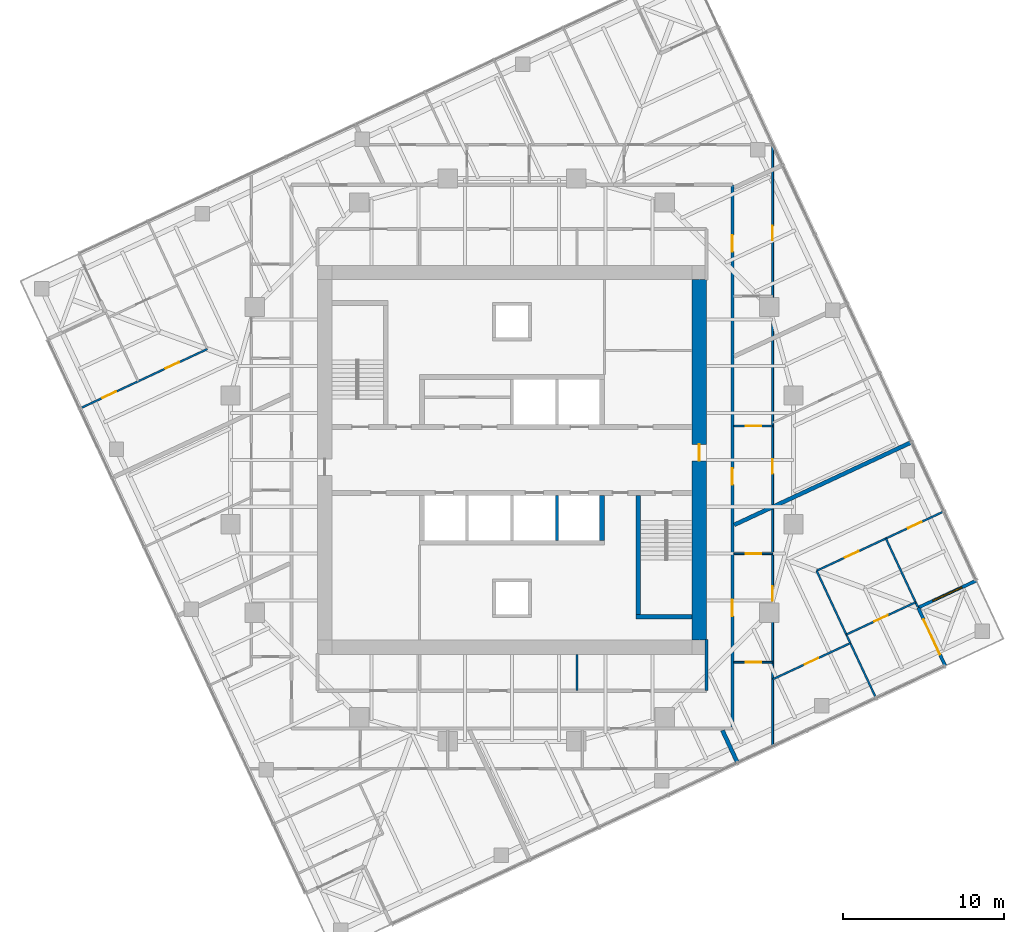
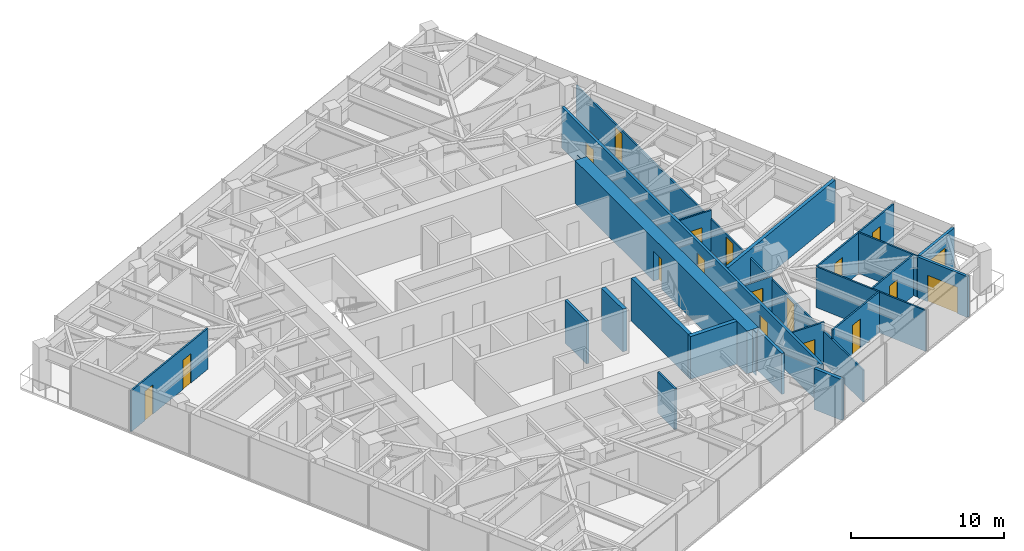
# One storey, part 9 of 12: 22 walls, 17 doors, 1 window, 18 openings.
"""IFC4 building model written with IfcOpenShell, lengths in metres."""

from ifc_helpers import new_model, si_unit, direction, frame, frame_2d, origin, place, context, subcontext, project, spatial, polyline, rectangle, outline, extrude, material, layer, layer_set, type_object, element, fill, save


model = new_model("IFC4")

# Units and contexts
model_context = context("Model", 3, precision=1e-05, world=origin(), true_north=direction((0.0, 1.0)))
body_context = subcontext(model_context, "Body", "Model", "MODEL_VIEW")
ifc_project = project(units=[si_unit("LENGTHUNIT", "METRE"), si_unit("AREAUNIT", "SQUARE_METRE"), si_unit("VOLUMEUNIT", "CUBIC_METRE"), si_unit("PLANEANGLEUNIT", "RADIAN"), si_unit("MASSUNIT", "GRAM", prefix="KILO")], contexts=[model_context])

# Site, building, storey
site_placement = place(None, origin())
site = spatial("IfcSite", under=ifc_project, at=site_placement, CompositionType="ELEMENT")
building_placement = place(site_placement, origin())
building = spatial("IfcBuilding", under=site, at=building_placement, Name="Torsade Residences", CompositionType="ELEMENT")
storey_placement = place(building_placement, frame((0.0, 0.0, 193.0)))
storey = spatial("IfcBuildingStorey", under=building, at=storey_placement, Name="L53", CompositionType="ELEMENT", Elevation=193.0)

# Walls
ifc_material_1 = material(Name="Concrete 80 MPa", Category="concrete")
ifc_layer_1 = layer(ifc_material_1, 0.300048828125)
ifc_layer_set_1 = layer_set([ifc_layer_1], Name="Concrete 80 MPa")
wall_type_1 = type_object("IfcWallType", Name="CORE INTERNAL WALL 300", PredefinedType="SHEAR", material=ifc_layer_set_1)
wall_1_placement = place(storey_placement, frame((45.60009765625, 27.800048828125, 0.0), z_axis=(0.0, 0.0, 1.0), x_axis=(0.0, -1.0, 0.0)))
element("IfcWall", 1, at=wall_1_placement, inside=storey, type_object=wall_type_1, Name="Core wall DS0 L53", PredefinedType="SHEAR", context=body_context, shape_type="SweptSolid", body=[
    extrude(rectangle(XDim=2.800048828125, YDim=0.300048828125, at=frame_2d((1.39990234375, 0.0))), origin(), (0.0, 0.0, 1.0), 3.39990234375),
])
wall_2_placement = place(storey_placement, frame((47.85009765625, 27.800048828125, 0.0), z_axis=(0.0, 0.0, 1.0), x_axis=(0.0, -1.0, 0.0)))
element("IfcWall", 2, at=wall_2_placement, inside=storey, type_object=wall_type_1, Name="Core wall ST2W L53", PredefinedType="SHEAR", context=body_context, shape_type="SweptSolid", body=[
    extrude(rectangle(XDim=7.699951171875, YDim=0.300048828125, at=frame_2d((3.85009765625, 0.0))), origin(), (0.0, 0.0, 1.0), 3.39990234375),
])
wall_3_placement = place(storey_placement, frame((51.199951171875, 20.25, 0.0), z_axis=(0.0, 0.0, 1.0), x_axis=(-1.0, 0.0, 0.0)))
element("IfcWall", 3, at=wall_3_placement, inside=storey, type_object=wall_type_1, Name="Core wall ST2S L53", PredefinedType="SHEAR", context=body_context, shape_type="SweptSolid", body=[
    extrude(rectangle(XDim=3.5, YDim=0.300048828125, at=frame_2d((1.75, 0.0))), origin(), (0.0, 0.0, 1.0), 3.39990234375),
])

# Wall, opening, door
ifc_material_2 = material(Name="Concrete 80 MPa", Category="concrete")
ifc_layer_2 = layer(ifc_material_2, 0.89990234375)
ifc_layer_set_2 = layer_set([ifc_layer_2], Name="Concrete 80 MPa")
wall_type_2 = type_object("IfcWallType", Name="CORE WALL 900", PredefinedType="SHEAR", material=ifc_layer_set_2)
wall_4_placement = place(storey_placement, frame((51.64990234375, 18.800048828125, 0.0), z_axis=(0.0, 0.0, 1.0), x_axis=(0.0, 1.0, 0.0)))
wall_4 = element("IfcWall", 4, at=wall_4_placement, inside=storey, type_object=wall_type_2, Name="Core wall E L53", PredefinedType="SHEAR", context=body_context, shape_type="SweptSolid", body=[
    extrude(outline(polyline([(0.0, -0.449951171875), (22.39990234375, -0.449951171875), (22.39990234375, -0.02490234375), (22.849853515625, -0.02490234375), (22.849853515625, 0.02490234375), (22.39990234375, 0.02490234375), (22.39990234375, 0.449951171875), (0.0, 0.449951171875), (0.0, 0.02490234375), (-0.449951171875, 0.02490234375), (-0.449951171875, -0.02490234375), (0.0, -0.02490234375), (0.0, -0.449951171875)])), origin(), (0.0, 0.0, 1.0), 3.39990234375),
])
opening_1_placement = place(wall_4_placement, frame((11.139892578125, 0.0, 0.0)))
opening_1 = element("IfcOpeningElement", 5, at=opening_1_placement, cuts=wall_4, Name="Opening D04", PredefinedType="OPENING", context=body_context, shape_type="SweptSolid", body=[
    extrude(rectangle(XDim=1.02001953125, YDim=2.39990234375, at=frame_2d((0.510009765625, 1.199951171875))), frame((0.0, 0.4599609375, 0.0), z_axis=(0.0, -1.0, 0.0), x_axis=(1.0, 0.0, 0.0)), (0.0, 0.0, 1.0), 0.919921875),
])
ifc_material_3 = material(Name="Steel-framed fire door", Category="steel")
door_type_1 = type_object("IfcDoorType", Name="LOBBY SMOKE DOOR 1020x2400", OperationType="NOTDEFINED", PredefinedType="DOOR", material=ifc_material_3)
door_1_placement = place(opening_1_placement, origin())
door_1 = element("IfcDoor", 6, at=door_1_placement, inside=storey, type_object=door_type_1, Name="Lift lobby door E L53", OperationType="SINGLE_SWING_LEFT", OverallHeight=2.39990234375, OverallWidth=1.02001953125, PredefinedType="DOOR", context=body_context, shape_type="SweptSolid", body=[
    extrude(rectangle(XDim=1.02001953125, YDim=2.39990234375, at=frame_2d((0.510009765625, 1.199951171875))), frame((0.0, 0.02490234375, 0.0), z_axis=(0.0, -1.0, 0.0), x_axis=(1.0, 0.0, 0.0)), (0.0, 0.0, 1.0), 0.050048828125),
])
fill(opening_1, door_1)

# Wall, openings, doors
ifc_material_4 = material(Name="Plasterboard on steel stud", Category="steel")
ifc_layer_3 = layer(ifc_material_4, 0.199951171875)
ifc_layer_set_3 = layer_set([ifc_layer_3], Name="Plasterboard on steel stud")
wall_type_3 = type_object("IfcWallType", Name="CORRIDOR WALL 200", PredefinedType="PARTITIONING", material=ifc_layer_set_3)
wall_5_placement = place(storey_placement, frame((53.699951171875, 13.300048828125, 0.0), z_axis=(0.0, 0.0, 1.0), x_axis=(0.0, 1.0, 0.0)))
wall_5 = element("IfcWall", 7, at=wall_5_placement, inside=storey, type_object=wall_type_3, Name="Corridor wall L53", PredefinedType="PARTITIONING", context=body_context, shape_type="SweptSolid", body=[
    extrude(rectangle(XDim=33.800048828125, YDim=0.199951171875, at=frame_2d((16.89990234375, 0.0))), origin(), (0.0, 0.0, 1.0), 3.25),
])
opening_2_placement = place(wall_5_placement, frame((6.983642578125, 0.0, 0.0)))
opening_2 = element("IfcOpeningElement", 8, at=opening_2_placement, cuts=wall_5, Name="Opening D01", PredefinedType="OPENING", context=body_context, shape_type="SweptSolid", body=[
    extrude(rectangle(XDim=1.02001953125, YDim=2.340087890625, at=frame_2d((0.510009765625, 1.169921875))), frame((0.0, 0.10986328125, 0.0), z_axis=(0.0, -1.0, 0.0), x_axis=(1.0, 0.0, 0.0)), (0.0, 0.0, 1.0), 0.219970703125),
])
opening_3_placement = place(wall_5_placement, frame((29.6484375, 0.0, 0.0)))
opening_3 = element("IfcOpeningElement", 9, at=opening_3_placement, cuts=wall_5, Name="Opening D01", PredefinedType="OPENING", context=body_context, shape_type="SweptSolid", body=[
    extrude(rectangle(XDim=1.02001953125, YDim=2.340087890625, at=frame_2d((0.510009765625, 1.169921875))), frame((0.0, 0.10986328125, 0.0), z_axis=(0.0, -1.0, 0.0), x_axis=(1.0, 0.0, 0.0)), (0.0, 0.0, 1.0), 0.219970703125),
])
opening_4_placement = place(wall_5_placement, frame((15.160400390625, 0.0, 0.0)))
opening_4 = element("IfcOpeningElement", 10, at=opening_4_placement, cuts=wall_5, Name="Opening D01", PredefinedType="OPENING", context=body_context, shape_type="SweptSolid", body=[
    extrude(rectangle(XDim=1.02001953125, YDim=2.340087890625, at=frame_2d((0.510009765625, 1.169921875))), frame((0.0, 0.10986328125, 0.0), z_axis=(0.0, -1.0, 0.0), x_axis=(1.0, 0.0, 0.0)), (0.0, 0.0, 1.0), 0.219970703125),
])
ifc_material_5 = material(Name="Solid-core timber fire door", Category="wood")
door_type_2 = type_object("IfcDoorType", Name="APARTMENT ENTRY DOOR 1020x2340", OperationType="NOTDEFINED", PredefinedType="DOOR", material=ifc_material_5)
door_2_placement = place(opening_2_placement, origin())
door_2 = element("IfcDoor", 11, at=door_2_placement, inside=storey, type_object=door_type_2, Name="Door Residential corridor to Kitchen and dining", OperationType="SINGLE_SWING_LEFT", OverallHeight=2.340087890625, OverallWidth=1.02001953125, PredefinedType="DOOR", context=body_context, shape_type="SweptSolid", body=[
    extrude(rectangle(XDim=1.02001953125, YDim=2.340087890625, at=frame_2d((0.510009765625, 1.169921875))), frame((0.0, 0.02490234375, 0.0), z_axis=(0.0, -1.0, 0.0), x_axis=(1.0, 0.0, 0.0)), (0.0, 0.0, 1.0), 0.050048828125),
])
fill(opening_2, door_2)
door_3_placement = place(opening_3_placement, origin())
door_3 = element("IfcDoor", 12, at=door_3_placement, inside=storey, type_object=door_type_2, Name="Door Residential corridor to Kitchen and dining", OperationType="SINGLE_SWING_RIGHT", OverallHeight=2.340087890625, OverallWidth=1.02001953125, PredefinedType="DOOR", context=body_context, shape_type="SweptSolid", body=[
    extrude(rectangle(XDim=1.02001953125, YDim=2.340087890625, at=frame_2d((0.510009765625, 1.169921875))), frame((0.0, 0.02490234375, 0.0), z_axis=(0.0, -1.0, 0.0), x_axis=(1.0, 0.0, 0.0)), (0.0, 0.0, 1.0), 0.050048828125),
])
fill(opening_3, door_3)
door_4_placement = place(opening_4_placement, origin())
door_4 = element("IfcDoor", 13, at=door_4_placement, inside=storey, type_object=door_type_2, Name="Door Residential corridor to Kitchen and dining", OperationType="SINGLE_SWING_RIGHT", OverallHeight=2.340087890625, OverallWidth=1.02001953125, PredefinedType="DOOR", context=body_context, shape_type="SweptSolid", body=[
    extrude(rectangle(XDim=1.02001953125, YDim=2.340087890625, at=frame_2d((0.510009765625, 1.169921875))), frame((0.0, 0.02490234375, 0.0), z_axis=(0.0, -1.0, 0.0), x_axis=(1.0, 0.0, 0.0)), (0.0, 0.0, 1.0), 0.050048828125),
])
fill(opening_4, door_4)

# Walls
wall_6_placement = place(storey_placement, frame((52.10009765625, 15.64990234375, 0.0), z_axis=(0.0, 0.0, 1.0), x_axis=(0.0, 1.0, 0.0)))
element("IfcWall", 14, at=wall_6_placement, inside=storey, type_object=wall_type_3, Name="Corridor wall L53", PredefinedType="PARTITIONING", context=body_context, shape_type="SweptSolid", body=[
    extrude(rectangle(XDim=3.170166015625, YDim=0.199951171875, at=frame_2d((1.5849609375, 0.0))), origin(), (0.0, 0.0, 1.0), 3.25),
])
ifc_material_6 = material(Name="Reinforced blockwork", Category="masonry")
ifc_layer_4 = layer(ifc_material_6, 0.199951171875)
ifc_layer_set_4 = layer_set([ifc_layer_4], Name="Reinforced blockwork")
wall_type_4 = type_object("IfcWallType", Name="LIFT SHAFT DIVIDING WALL 200", PredefinedType="SOLIDWALL", material=ifc_layer_set_4)
wall_7_placement = place(storey_placement, frame((42.800048828125, 27.800048828125, 0.0), z_axis=(0.0, 0.0, 1.0), x_axis=(0.0, -1.0, 0.0)))
element("IfcWall", 15, at=wall_7_placement, inside=storey, type_object=wall_type_4, Name="Core wall DS1 L53", PredefinedType="SOLIDWALL", context=body_context, shape_type="SweptSolid", body=[
    extrude(rectangle(XDim=2.800048828125, YDim=0.199951171875, at=frame_2d((1.39990234375, 0.0))), origin(), (0.0, 0.0, 1.0), 3.39990234375),
])

# Wall, opening, door
ifc_material_7 = material(Name="Plasterboard on steel stud", Category="steel")
ifc_layer_5 = layer(ifc_material_7, 0.1201171875)
ifc_layer_set_5 = layer_set([ifc_layer_5], Name="Plasterboard on steel stud")
wall_type_5 = type_object("IfcWallType", Name="PARTITION 120", PredefinedType="PARTITIONING", material=ifc_layer_set_5)
wall_8_placement = place(storey_placement, frame((56.199951171875, 17.421630859375, 0.0), z_axis=(0.0, 0.0, 1.0), x_axis=(-1.0, 0.0, 0.0)))
wall_8 = element("IfcWall", 16, at=wall_8_placement, inside=storey, type_object=wall_type_5, Name="Partition L53", PredefinedType="PARTITIONING", context=body_context, shape_type="SweptSolid", body=[
    extrude(rectangle(XDim=2.39990234375, YDim=0.1201171875, at=frame_2d((1.199951171875, 0.0))), origin(), (0.0, 0.0, 1.0), 3.25),
])
opening_5_placement = place(wall_8_placement, frame((0.719970703125, 0.0, 0.0)))
opening_5 = element("IfcOpeningElement", 17, at=opening_5_placement, cuts=wall_8, Name="Opening D05", PredefinedType="OPENING", context=body_context, shape_type="SweptSolid", body=[
    extrude(rectangle(XDim=0.9599609375, YDim=2.10009765625, at=frame_2d((0.47998046875, 1.050048828125))), frame((0.0, 0.070068359375, 0.0), z_axis=(0.0, -1.0, 0.0), x_axis=(1.0, 0.0, 0.0)), (0.0, 0.0, 1.0), 0.14013671875),
])
ifc_material_8 = material(Name="Hollow-core timber door in a steel cavity frame", Category="steel")
door_type_3 = type_object("IfcDoorType", Name="BATHROOM CAVITY SLIDING DOOR 960", OperationType="SLIDING_TO_LEFT", PredefinedType="DOOR", material=ifc_material_8)
door_5_placement = place(opening_5_placement, origin())
door_5 = element("IfcDoor", 18, at=door_5_placement, inside=storey, type_object=door_type_3, Name="Door Kitchen and dining to Bathroom", OperationType="SLIDING_TO_LEFT", OverallHeight=2.10009765625, OverallWidth=0.9599609375, PredefinedType="DOOR", context=body_context, shape_type="SweptSolid", body=[
    extrude(rectangle(XDim=0.9599609375, YDim=2.10009765625, at=frame_2d((0.47998046875, 1.050048828125))), frame((0.0, 0.02490234375, 0.0), z_axis=(0.0, -1.0, 0.0), x_axis=(1.0, 0.0, 0.0)), (0.0, 0.0, 1.0), 0.050048828125),
])
fill(opening_5, door_5)

wall_9_placement = place(storey_placement, frame((53.800048828125, 24.165771484375, 0.0), z_axis=(0.0, 0.0, 1.0), x_axis=(1.0, 0.0, 0.0)))
wall_9 = element("IfcWall", 19, at=wall_9_placement, inside=storey, type_object=wall_type_5, Name="Partition L53", PredefinedType="PARTITIONING", context=body_context, shape_type="SweptSolid", body=[
    extrude(rectangle(XDim=2.39990234375, YDim=0.1201171875, at=frame_2d((1.199951171875, 0.0))), origin(), (0.0, 0.0, 1.0), 2.7958984375),
])
opening_6_placement = place(wall_9_placement, frame((0.719970703125, 0.0, 0.0)))
opening_6 = element("IfcOpeningElement", 20, at=opening_6_placement, cuts=wall_9, Name="Opening D05", PredefinedType="OPENING", context=body_context, shape_type="SweptSolid", body=[
    extrude(rectangle(XDim=0.9599609375, YDim=2.10009765625, at=frame_2d((0.47998046875, 1.050048828125))), frame((0.0, 0.070068359375, 0.0), z_axis=(0.0, -1.0, 0.0), x_axis=(1.0, 0.0, 0.0)), (0.0, 0.0, 1.0), 0.14013671875),
])
door_6_placement = place(opening_6_placement, origin())
door_6 = element("IfcDoor", 21, at=door_6_placement, inside=storey, type_object=door_type_3, Name="Door Kitchen and dining to Ensuite", OperationType="SLIDING_TO_LEFT", OverallHeight=2.10009765625, OverallWidth=0.9599609375, PredefinedType="DOOR", context=body_context, shape_type="SweptSolid", body=[
    extrude(rectangle(XDim=0.9599609375, YDim=2.10009765625, at=frame_2d((0.47998046875, 1.050048828125))), frame((0.0, 0.02490234375, 0.0), z_axis=(0.0, -1.0, 0.0), x_axis=(1.0, 0.0, 0.0)), (0.0, 0.0, 1.0), 0.050048828125),
])
fill(opening_6, door_6)

# Wall, openings, doors
wall_10_placement = place(storey_placement, frame((56.199951171875, 49.6416015625, 0.0), z_axis=(0.0, 0.0, 1.0), x_axis=(0.0, -1.0, 0.0)))
wall_10 = element("IfcWall", 22, at=wall_10_placement, inside=storey, type_object=wall_type_5, Name="Partition L53", PredefinedType="PARTITIONING", context=body_context, shape_type="SweptSolid", body=[
    extrude(rectangle(XDim=37.4208984375, YDim=0.1201171875, at=frame_2d((18.71044921875, 0.0))), origin(), (0.0, 0.0, 1.0), 2.550048828125),
])
opening_7_placement = place(wall_10_placement, frame((27.48779296875, 0.0, 0.0)))
opening_7 = element("IfcOpeningElement", 23, at=opening_7_placement, cuts=wall_10, Name="Opening D02", PredefinedType="OPENING", context=body_context, shape_type="SweptSolid", body=[
    extrude(rectangle(XDim=0.919921875, YDim=2.340087890625, at=frame_2d((0.4599609375, 1.169921875))), frame((0.0, 0.070068359375, 0.0), z_axis=(0.0, -1.0, 0.0), x_axis=(1.0, 0.0, 0.0)), (0.0, 0.0, 1.0), 0.14013671875),
])
opening_8_placement = place(wall_10_placement, frame((5.080078125, 0.0, 0.0)))
opening_8 = element("IfcOpeningElement", 24, at=opening_8_placement, cuts=wall_10, Name="Opening D02", PredefinedType="OPENING", context=body_context, shape_type="SweptSolid", body=[
    extrude(rectangle(XDim=0.919921875, YDim=2.340087890625, at=frame_2d((0.4599609375, 1.169921875))), frame((0.0, 0.070068359375, 0.0), z_axis=(0.0, -1.0, 0.0), x_axis=(1.0, 0.0, 0.0)), (0.0, 0.0, 1.0), 0.14013671875),
])
opening_9_placement = place(wall_10_placement, frame((19.59228515625, 0.0, 0.0)))
opening_9 = element("IfcOpeningElement", 25, at=opening_9_placement, cuts=wall_10, Name="Opening D02", PredefinedType="OPENING", context=body_context, shape_type="SweptSolid", body=[
    extrude(rectangle(XDim=0.919921875, YDim=2.340087890625, at=frame_2d((0.4599609375, 1.169921875))), frame((0.0, 0.070068359375, 0.0), z_axis=(0.0, -1.0, 0.0), x_axis=(1.0, 0.0, 0.0)), (0.0, 0.0, 1.0), 0.14013671875),
])
ifc_material_9 = material(Name="Hollow-core timber door", Category="wood")
door_type_4 = type_object("IfcDoorType", Name="INTERNAL DOOR 920x2340", OperationType="NOTDEFINED", PredefinedType="DOOR", material=ifc_material_9)
door_7_placement = place(opening_7_placement, origin())
door_7 = element("IfcDoor", 26, at=door_7_placement, inside=storey, type_object=door_type_4, Name="Door Kitchen and dining to Living room", OperationType="SINGLE_SWING_RIGHT", OverallHeight=2.340087890625, OverallWidth=0.919921875, PredefinedType="DOOR", context=body_context, shape_type="SweptSolid", body=[
    extrude(rectangle(XDim=0.919921875, YDim=2.340087890625, at=frame_2d((0.4599609375, 1.169921875))), frame((0.0, 0.02490234375, 0.0), z_axis=(0.0, -1.0, 0.0), x_axis=(1.0, 0.0, 0.0)), (0.0, 0.0, 1.0), 0.050048828125),
])
fill(opening_7, door_7)
door_8_placement = place(opening_8_placement, origin())
door_8 = element("IfcDoor", 27, at=door_8_placement, inside=storey, type_object=door_type_4, Name="Door Kitchen and dining to Studio living and sleeping", OperationType="SINGLE_SWING_LEFT", OverallHeight=2.340087890625, OverallWidth=0.919921875, PredefinedType="DOOR", context=body_context, shape_type="SweptSolid", body=[
    extrude(rectangle(XDim=0.919921875, YDim=2.340087890625, at=frame_2d((0.4599609375, 1.169921875))), frame((0.0, 0.02490234375, 0.0), z_axis=(0.0, -1.0, 0.0), x_axis=(1.0, 0.0, 0.0)), (0.0, 0.0, 1.0), 0.050048828125),
])
fill(opening_8, door_8)
door_9_placement = place(opening_9_placement, origin())
door_9 = element("IfcDoor", 28, at=door_9_placement, inside=storey, type_object=door_type_4, Name="Door Kitchen and dining to Living room", OperationType="SINGLE_SWING_RIGHT", OverallHeight=2.340087890625, OverallWidth=0.919921875, PredefinedType="DOOR", context=body_context, shape_type="SweptSolid", body=[
    extrude(rectangle(XDim=0.919921875, YDim=2.340087890625, at=frame_2d((0.4599609375, 1.169921875))), frame((0.0, 0.02490234375, 0.0), z_axis=(0.0, -1.0, 0.0), x_axis=(1.0, 0.0, 0.0)), (0.0, 0.0, 1.0), 0.050048828125),
])
fill(opening_9, door_9)

# Wall, opening, door
wall_11_placement = place(storey_placement, frame((61.03466796875, 18.609375, 0.0), z_axis=(0.0, 0.0, 1.0), x_axis=(-0.906312880264, -0.422607339108, 0.0)))
wall_11 = element("IfcWall", 29, at=wall_11_placement, inside=storey, type_object=wall_type_5, Name="Partition L53", PredefinedType="PARTITIONING", context=body_context, shape_type="SweptSolid", body=[
    extrude(rectangle(XDim=5.33447265625, YDim=0.1201171875, at=frame_2d((2.667236328125, 0.0))), origin(), (0.0, 0.0, 1.0), 3.25),
])
opening_10_placement = place(wall_11_placement, frame((2.207275390625, 0.0, 0.0)))
opening_10 = element("IfcOpeningElement", 30, at=opening_10_placement, cuts=wall_11, Name="Opening D02", PredefinedType="OPENING", context=body_context, shape_type="SweptSolid", body=[
    extrude(rectangle(XDim=0.919921875, YDim=2.340087890625, at=frame_2d((0.4599609375, 1.169921875))), frame((0.0, 0.070068359375, 0.0), z_axis=(0.0, -1.0, 0.0), x_axis=(1.0, 0.0, 0.0)), (0.0, 0.0, 1.0), 0.14013671875),
])
door_10_placement = place(opening_10_placement, origin())
door_10 = element("IfcDoor", 31, at=door_10_placement, inside=storey, type_object=door_type_4, Name="Door Living room to Bedroom 1", OperationType="SINGLE_SWING_LEFT", OverallHeight=2.340087890625, OverallWidth=0.919921875, PredefinedType="DOOR", context=body_context, shape_type="SweptSolid", body=[
    extrude(rectangle(XDim=0.919921875, YDim=2.340087890625, at=frame_2d((0.4599609375, 1.169921875))), frame((0.0, 0.02490234375, 0.0), z_axis=(0.0, -1.0, 0.0), x_axis=(1.0, 0.0, 0.0)), (0.0, 0.0, 1.0), 0.050048828125),
])
fill(opening_10, door_10)

# Wall
wall_12_placement = place(storey_placement, frame((58.94140625, 23.098388671875, 0.0), z_axis=(0.0, 0.0, 1.0), x_axis=(0.422610460864, -0.906311424604, 0.0)))
element("IfcWall", 32, at=wall_12_placement, inside=storey, type_object=wall_type_5, Name="Partition L53", PredefinedType="PARTITIONING", context=body_context, shape_type="SweptSolid", body=[
    extrude(rectangle(XDim=8.7001953125, YDim=0.1201171875, at=frame_2d((4.35009765625, 0.0))), origin(), (0.0, 0.0, 1.0), 3.25),
])

# Wall, openings, doors
wall_13_placement = place(storey_placement, frame((66.8310546875, 26.78857421875, 0.0), z_axis=(0.0, 0.0, 1.0), x_axis=(-0.906281301188, -0.422675056181, 0.0)))
wall_13 = element("IfcWall", 33, at=wall_13_placement, inside=storey, type_object=wall_type_5, Name="Partition L53", PredefinedType="PARTITIONING", context=body_context, shape_type="SweptSolid", body=[
    extrude(rectangle(XDim=8.702880859375, YDim=0.1201171875, at=frame_2d((4.3515625, 0.0))), origin(), (0.0, 0.0, 1.0), 3.25),
])
opening_11_placement = place(wall_13_placement, frame((5.846435546875, 0.0, 0.0)))
opening_11 = element("IfcOpeningElement", 34, at=opening_11_placement, cuts=wall_13, Name="Opening D02", PredefinedType="OPENING", context=body_context, shape_type="SweptSolid", body=[
    extrude(rectangle(XDim=0.919921875, YDim=2.340087890625, at=frame_2d((0.4599609375, 1.169921875))), frame((0.0, 0.070068359375, 0.0), z_axis=(0.0, -1.0, 0.0), x_axis=(1.0, 0.0, 0.0)), (0.0, 0.0, 1.0), 0.14013671875),
])
opening_12_placement = place(wall_13_placement, frame((1.52490234375, 0.0, 0.0)))
opening_12 = element("IfcOpeningElement", 35, at=opening_12_placement, cuts=wall_13, Name="Opening D02", PredefinedType="OPENING", context=body_context, shape_type="SweptSolid", body=[
    extrude(rectangle(XDim=0.919921875, YDim=2.340087890625, at=frame_2d((0.4599609375, 1.169921875))), frame((0.0, 0.070068359375, 0.0), z_axis=(0.0, -1.0, 0.0), x_axis=(1.0, 0.0, 0.0)), (0.0, 0.0, 1.0), 0.14013671875),
])
door_11_placement = place(opening_11_placement, origin())
door_11 = element("IfcDoor", 36, at=door_11_placement, inside=storey, type_object=door_type_4, Name="Door Living room to Walk-in robe", OperationType="SINGLE_SWING_LEFT", OverallHeight=2.340087890625, OverallWidth=0.919921875, PredefinedType="DOOR", context=body_context, shape_type="SweptSolid", body=[
    extrude(rectangle(XDim=0.919921875, YDim=2.340087890625, at=frame_2d((0.4599609375, 1.169921875))), frame((0.0, 0.02490234375, 0.0), z_axis=(0.0, -1.0, 0.0), x_axis=(1.0, 0.0, 0.0)), (0.0, 0.0, 1.0), 0.050048828125),
])
fill(opening_11, door_11)
door_12_placement = place(opening_12_placement, origin())
door_12 = element("IfcDoor", 37, at=door_12_placement, inside=storey, type_object=door_type_4, Name="Door Living room to Study", OperationType="SINGLE_SWING_RIGHT", OverallHeight=2.340087890625, OverallWidth=0.919921875, PredefinedType="DOOR", context=body_context, shape_type="SweptSolid", body=[
    extrude(rectangle(XDim=0.919921875, YDim=2.340087890625, at=frame_2d((0.4599609375, 1.169921875))), frame((0.0, 0.02490234375, 0.0), z_axis=(0.0, -1.0, 0.0), x_axis=(1.0, 0.0, 0.0)), (0.0, 0.0, 1.0), 0.050048828125),
])
fill(opening_12, door_12)

# Wall, opening, door
wall_14_placement = place(storey_placement, frame((60.7861328125, 19.142333984375, 0.0), z_axis=(0.0, 0.0, 1.0), x_axis=(0.906296032609, 0.422643468278, 0.0)))
wall_14 = element("IfcWall", 38, at=wall_14_placement, inside=storey, type_object=wall_type_5, Name="Partition L53", PredefinedType="PARTITIONING", context=body_context, shape_type="SweptSolid", body=[
    extrude(rectangle(XDim=4.75, YDim=0.1201171875, at=frame_2d((2.375, 0.0))), origin(), (0.0, 0.0, 1.0), 3.25),
])
opening_13_placement = place(wall_14_placement, frame((1.9150390625, 0.0, 0.0)))
opening_13 = element("IfcOpeningElement", 39, at=opening_13_placement, cuts=wall_14, Name="Opening D02", PredefinedType="OPENING", context=body_context, shape_type="SweptSolid", body=[
    extrude(rectangle(XDim=0.919921875, YDim=2.340087890625, at=frame_2d((0.4599609375, 1.169921875))), frame((0.0, 0.070068359375, 0.0), z_axis=(0.0, -1.0, 0.0), x_axis=(1.0, 0.0, 0.0)), (0.0, 0.0, 1.0), 0.14013671875),
])
door_13_placement = place(opening_13_placement, origin())
door_13 = element("IfcDoor", 40, at=door_13_placement, inside=storey, type_object=door_type_4, Name="Door Walk-in robe to Bedroom 2", OperationType="SINGLE_SWING_RIGHT", OverallHeight=2.340087890625, OverallWidth=0.919921875, PredefinedType="DOOR", context=body_context, shape_type="SweptSolid", body=[
    extrude(rectangle(XDim=0.919921875, YDim=2.340087890625, at=frame_2d((0.4599609375, 1.169921875))), frame((0.0, 0.02490234375, 0.0), z_axis=(0.0, -1.0, 0.0), x_axis=(1.0, 0.0, 0.0)), (0.0, 0.0, 1.0), 0.050048828125),
])
fill(opening_13, door_13)

# Wall
wall_15_placement = place(storey_placement, frame((63.2421875, 25.114990234375, 0.0), z_axis=(0.0, 0.0, 1.0), x_axis=(0.422601682441, -0.906315517906, 0.0)))
element("IfcWall", 41, at=wall_15_placement, inside=storey, type_object=wall_type_5, Name="Partition L53", PredefinedType="PARTITIONING", context=body_context, shape_type="SweptSolid", body=[
    extrude(rectangle(XDim=4.7099609375, YDim=0.1201171875, at=frame_2d((2.35498046875, 0.0))), origin(), (0.0, 0.0, 1.0), 3.25),
])

# Wall, opening, door
wall_16_placement = place(storey_placement, frame((53.800048828125, 32.106689453125, 0.0), z_axis=(0.0, 0.0, 1.0), x_axis=(1.0, 0.0, 0.0)))
wall_16 = element("IfcWall", 42, at=wall_16_placement, inside=storey, type_object=wall_type_5, Name="Partition L53", PredefinedType="PARTITIONING", context=body_context, shape_type="SweptSolid", body=[
    extrude(rectangle(XDim=2.39990234375, YDim=0.1201171875, at=frame_2d((1.199951171875, 0.0))), origin(), (0.0, 0.0, 1.0), 3.25),
])
opening_14_placement = place(wall_16_placement, frame((0.719970703125, 0.0, 0.0)))
opening_14 = element("IfcOpeningElement", 43, at=opening_14_placement, cuts=wall_16, Name="Opening D05", PredefinedType="OPENING", context=body_context, shape_type="SweptSolid", body=[
    extrude(rectangle(XDim=0.9599609375, YDim=2.10009765625, at=frame_2d((0.47998046875, 1.050048828125))), frame((0.0, 0.070068359375, 0.0), z_axis=(0.0, -1.0, 0.0), x_axis=(1.0, 0.0, 0.0)), (0.0, 0.0, 1.0), 0.14013671875),
])
door_14_placement = place(opening_14_placement, origin())
door_14 = element("IfcDoor", 44, at=door_14_placement, inside=storey, type_object=door_type_3, Name="Door Kitchen and dining to Bathroom", OperationType="SLIDING_TO_LEFT", OverallHeight=2.10009765625, OverallWidth=0.9599609375, PredefinedType="DOOR", context=body_context, shape_type="SweptSolid", body=[
    extrude(rectangle(XDim=0.9599609375, YDim=2.10009765625, at=frame_2d((0.47998046875, 1.050048828125))), frame((0.0, 0.02490234375, 0.0), z_axis=(0.0, -1.0, 0.0), x_axis=(1.0, 0.0, 0.0)), (0.0, 0.0, 1.0), 0.050048828125),
])
fill(opening_14, door_14)

# Wall, openings, doors
wall_17_placement = place(storey_placement, frame((13.1689453125, 33.21142578125, 0.0), z_axis=(0.0, 0.0, 1.0), x_axis=(0.906281301188, 0.422675056181, 0.0)))
wall_17 = element("IfcWall", 45, at=wall_17_placement, inside=storey, type_object=wall_type_5, Name="Partition L53", PredefinedType="PARTITIONING", context=body_context, shape_type="SweptSolid", body=[
    extrude(rectangle(XDim=8.702880859375, YDim=0.1201171875, at=frame_2d((4.3515625, 0.0))), origin(), (0.0, 0.0, 1.0), 3.25),
])
opening_15_placement = place(wall_17_placement, frame((5.846435546875, 0.0, 0.0)))
opening_15 = element("IfcOpeningElement", 46, at=opening_15_placement, cuts=wall_17, Name="Opening D02", PredefinedType="OPENING", context=body_context, shape_type="SweptSolid", body=[
    extrude(rectangle(XDim=0.919921875, YDim=2.340087890625, at=frame_2d((0.4599609375, 1.169921875))), frame((0.0, 0.070068359375, 0.0), z_axis=(0.0, -1.0, 0.0), x_axis=(1.0, 0.0, 0.0)), (0.0, 0.0, 1.0), 0.14013671875),
])
opening_16_placement = place(wall_17_placement, frame((1.52490234375, 0.0, 0.0)))
opening_16 = element("IfcOpeningElement", 47, at=opening_16_placement, cuts=wall_17, Name="Opening D02", PredefinedType="OPENING", context=body_context, shape_type="SweptSolid", body=[
    extrude(rectangle(XDim=0.919921875, YDim=2.340087890625, at=frame_2d((0.4599609375, 1.169921875))), frame((0.0, 0.070068359375, 0.0), z_axis=(0.0, -1.0, 0.0), x_axis=(1.0, 0.0, 0.0)), (0.0, 0.0, 1.0), 0.14013671875),
])
door_15_placement = place(opening_15_placement, origin())
door_15 = element("IfcDoor", 48, at=door_15_placement, inside=storey, type_object=door_type_4, Name="Door Living room to Walk-in robe", OperationType="SINGLE_SWING_LEFT", OverallHeight=2.340087890625, OverallWidth=0.919921875, PredefinedType="DOOR", context=body_context, shape_type="SweptSolid", body=[
    extrude(rectangle(XDim=0.919921875, YDim=2.340087890625, at=frame_2d((0.4599609375, 1.169921875))), frame((0.0, 0.02490234375, 0.0), z_axis=(0.0, -1.0, 0.0), x_axis=(1.0, 0.0, 0.0)), (0.0, 0.0, 1.0), 0.050048828125),
])
fill(opening_15, door_15)
door_16_placement = place(opening_16_placement, origin())
door_16 = element("IfcDoor", 49, at=door_16_placement, inside=storey, type_object=door_type_4, Name="Door Living room to Study", OperationType="SINGLE_SWING_RIGHT", OverallHeight=2.340087890625, OverallWidth=0.919921875, PredefinedType="DOOR", context=body_context, shape_type="SweptSolid", body=[
    extrude(rectangle(XDim=0.919921875, YDim=2.340087890625, at=frame_2d((0.4599609375, 1.169921875))), frame((0.0, 0.02490234375, 0.0), z_axis=(0.0, -1.0, 0.0), x_axis=(1.0, 0.0, 0.0)), (0.0, 0.0, 1.0), 0.050048828125),
])
fill(opening_16, door_16)

# Walls
ifc_material_10 = material(Name="Masonry-lined stud party wall", Category="masonry")
ifc_layer_6 = layer(ifc_material_10, 0.25)
ifc_layer_set_6 = layer_set([ifc_layer_6], Name="Masonry-lined stud party wall")
wall_type_6 = type_object("IfcWallType", Name="PARTY WALL 250", PredefinedType="PARTITIONING", material=ifc_layer_set_6)
wall_18_placement = place(storey_placement, frame((54.025146484375, 11.162353515625, 0.0), z_axis=(0.0, 0.0, 1.0), x_axis=(-0.422609736898, 0.906311762187, 0.0)))
element("IfcWall", 50, at=wall_18_placement, inside=storey, type_object=wall_type_6, Name="Party wall L53", PredefinedType="PARTITIONING", context=body_context, shape_type="SweptSolid", body=[
    extrude(rectangle(XDim=2.22998046875, YDim=0.25, at=frame_2d((1.114990234375, 0.0))), origin(), (0.0, 0.0, 1.0), 3.25),
])
wall_19_placement = place(storey_placement, frame((64.85986328125, 31.1103515625, 0.0), z_axis=(0.0, 0.0, 1.0), x_axis=(-0.906303906082, -0.422626584374, 0.0)))
element("IfcWall", 51, at=wall_19_placement, inside=storey, type_object=wall_type_6, Name="Party wall L53", PredefinedType="PARTITIONING", context=body_context, shape_type="SweptSolid", body=[
    extrude(rectangle(XDim=12.184814453125, YDim=0.25, at=frame_2d((6.09228515625, 0.0))), origin(), (0.0, 0.0, 1.0), 3.25),
])
ifc_material_11 = material(Name="Reinforced blockwork", Category="masonry")
ifc_layer_7 = layer(ifc_material_11, 0.14990234375)
ifc_layer_set_7 = layer_set([ifc_layer_7], Name="Reinforced blockwork")
wall_type_7 = type_object("IfcWallType", Name="SERVICE ROOM WALL 150", PredefinedType="SOLIDWALL", material=ifc_layer_set_7)
wall_20_placement = place(storey_placement, frame((44.04150390625, 15.64990234375, 0.0), z_axis=(0.0, 0.0, 1.0), x_axis=(0.0, 1.0, 0.0)))
element("IfcWall", 52, at=wall_20_placement, inside=storey, type_object=wall_type_7, Name="Service room wall L53", PredefinedType="SOLIDWALL", context=body_context, shape_type="SweptSolid", body=[
    extrude(rectangle(XDim=2.25, YDim=0.14990234375, at=frame_2d((1.125, 0.0))), origin(), (0.0, 0.0, 1.0), 3.25),
])

# Wall, opening, door
ifc_material_12 = material(Name="Stone-faced precast concrete 40 MPa panel", Category="masonry")
ifc_layer_8 = layer(ifc_material_12, 0.199951171875)
ifc_layer_set_8 = layer_set([ifc_layer_8], Name="Stone-faced precast concrete 40 MPa panel")
wall_type_8 = type_object("IfcWallType", Name="TERRACE WALL 200", PredefinedType="SOLIDWALL", material=ifc_layer_set_8)
wall_21_placement = place(storey_placement, frame((66.940185546875, 17.1845703125, 0.0), z_axis=(0.0, 0.0, 1.0), x_axis=(-0.422658246362, 0.906289140828, 0.0)))
wall_21 = element("IfcWall", 53, at=wall_21_placement, inside=storey, type_object=wall_type_8, Name="Terrace wall L53 2", PredefinedType="SOLIDWALL", context=body_context, shape_type="SweptSolid", body=[
    extrude(rectangle(XDim=4.0, YDim=0.199951171875, at=frame_2d((2.0, 0.0))), origin(), (0.0, 0.0, 1.0), 3.25),
])
opening_17_placement = place(wall_21_placement, frame((0.800048828125, 0.0, 0.0)))
opening_17 = element("IfcOpeningElement", 54, at=opening_17_placement, cuts=wall_21, Name="Opening D10A", PredefinedType="OPENING", context=body_context, shape_type="SweptSolid", body=[
    extrude(rectangle(XDim=2.39990234375, YDim=2.10009765625, at=frame_2d((1.199951171875, 1.050048828125))), frame((0.0, 0.10986328125, 0.0), z_axis=(0.0, -1.0, 0.0), x_axis=(1.0, 0.0, 0.0)), (0.0, 0.0, 1.0), 0.219970703125),
])
ifc_material_13 = material(Name="Aluminium-framed glass door", Category="aluminium")
door_type_5 = type_object("IfcDoorType", Name="TERRACE SLIDING DOOR 2400x2100", OperationType="SLIDING_TO_LEFT", PredefinedType="DOOR", material=ifc_material_13)
door_17_placement = place(opening_17_placement, origin())
door_17 = element("IfcDoor", 55, at=door_17_placement, inside=storey, type_object=door_type_5, Name="Terrace door L53 2", OperationType="SLIDING_TO_LEFT", OverallHeight=2.10009765625, OverallWidth=2.39990234375, PredefinedType="DOOR", context=body_context, shape_type="SweptSolid", body=[
    extrude(rectangle(XDim=2.39990234375, YDim=2.10009765625, at=frame_2d((1.199951171875, 1.050048828125))), frame((0.0, 0.02490234375, 0.0), z_axis=(0.0, -1.0, 0.0), x_axis=(1.0, 0.0, 0.0)), (0.0, 0.0, 1.0), 0.050048828125),
])
fill(opening_17, door_17)

# Wall, opening, window
wall_22_placement = place(storey_placement, frame((65.24951171875, 20.809814453125, 0.0), z_axis=(0.0, 0.0, 1.0), x_axis=(0.906289140828, 0.422658246362, 0.0)))
wall_22 = element("IfcWall", 56, at=wall_22_placement, inside=storey, type_object=wall_type_8, Name="Terrace wall L53 3", PredefinedType="SOLIDWALL", context=body_context, shape_type="SweptSolid", body=[
    extrude(rectangle(XDim=4.0, YDim=0.199951171875, at=frame_2d((2.0, 0.0))), origin(), (0.0, 0.0, 1.0), 3.25),
])
opening_18_placement = place(wall_22_placement, frame((1.0, 0.0, 0.449951171875)))
opening_18 = element("IfcOpeningElement", 57, at=opening_18_placement, cuts=wall_22, Name="Opening W1B", PredefinedType="OPENING", context=body_context, shape_type="SweptSolid", body=[
    extrude(rectangle(XDim=2.0, YDim=1.800048828125, at=frame_2d((1.0, 0.89990234375))), frame((0.0, 0.10986328125, 0.0), z_axis=(0.0, -1.0, 0.0), x_axis=(1.0, 0.0, 0.0)), (0.0, 0.0, 1.0), 0.219970703125),
])
ifc_material_14 = material(Name="Aluminium-framed glass window", Category="aluminium")
window_type = type_object("IfcWindowType", Name="TERRACE WINDOW 2000x1800", PartitioningType="SINGLE_PANEL", PredefinedType="WINDOW", material=ifc_material_14)
window_placement = place(opening_18_placement, origin())
window = element("IfcWindow", 58, at=window_placement, inside=storey, type_object=window_type, Name="Terrace window L53 3", OverallHeight=1.800048828125, OverallWidth=2.0, PartitioningType="SINGLE_PANEL", PredefinedType="WINDOW", context=body_context, shape_type="SweptSolid", body=[
    extrude(rectangle(XDim=2.0, YDim=1.800048828125, at=frame_2d((1.0, 0.89990234375))), frame((0.0, 0.030029296875, 0.0), z_axis=(0.0, -1.0, 0.0), x_axis=(1.0, 0.0, 0.0)), (0.0, 0.0, 1.0), 0.06005859375),
])
fill(opening_18, window)

save(model, "model.ifc")
